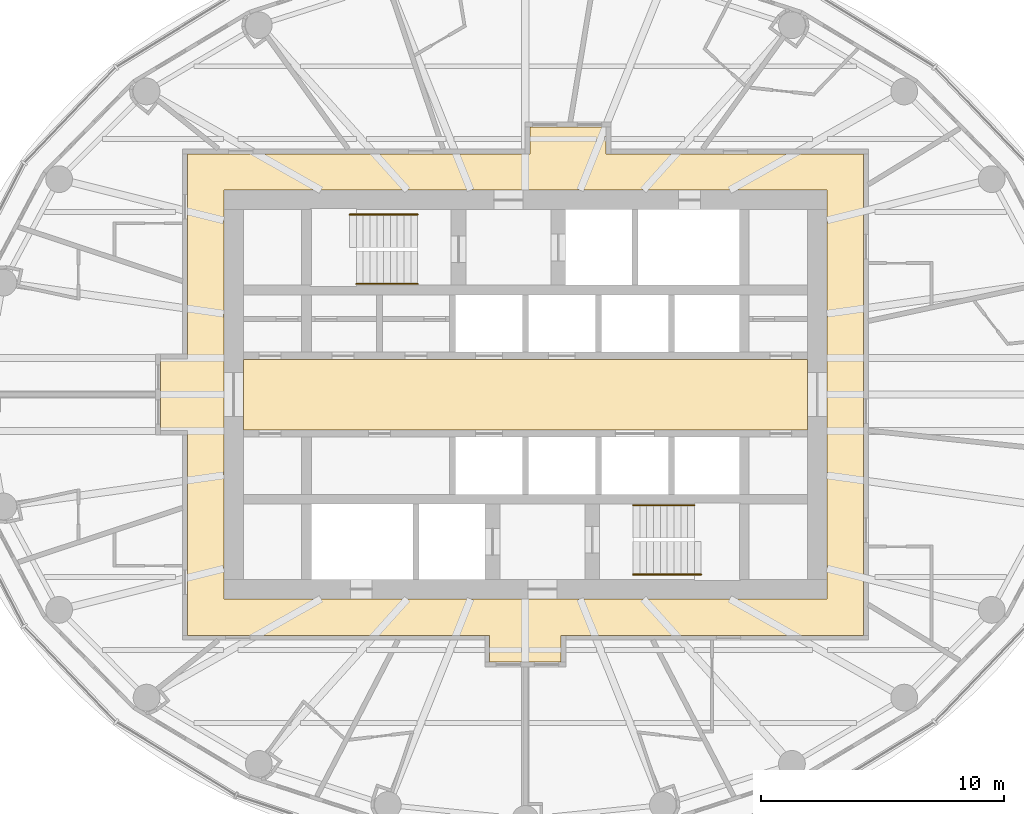
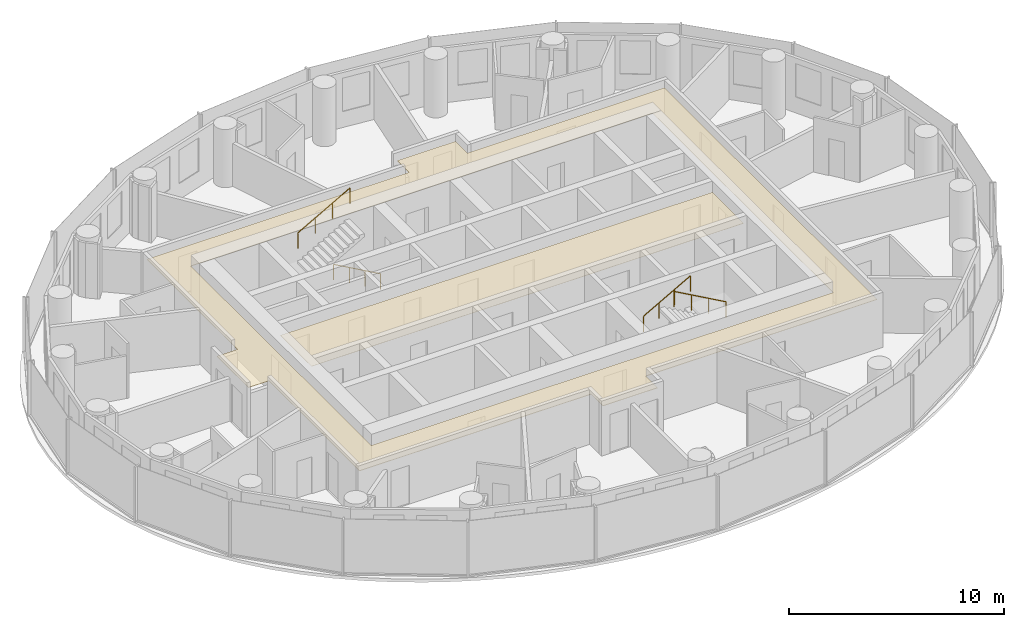
# One storey, part 13 of 13: 4 railings, 2 coverings.
"""IFC4 building model written with IfcOpenShell, lengths in metres."""

from ifc_helpers import new_model, si_unit, direction, frame, origin, origin_2d, place, context, subcontext, project, spatial, polyline, circle, outline, extrude, material, layer, layer_set, type_object, element, save


model = new_model("IFC4")

# Units and contexts
model_context = context("Model", 3, precision=1e-05, world=origin(), true_north=direction((0.0, 1.0)))
body_context = subcontext(model_context, "Body", "Model", "MODEL_VIEW")
ifc_project = project(units=[si_unit("LENGTHUNIT", "METRE"), si_unit("AREAUNIT", "SQUARE_METRE"), si_unit("VOLUMEUNIT", "CUBIC_METRE"), si_unit("PLANEANGLEUNIT", "RADIAN"), si_unit("MASSUNIT", "GRAM", prefix="KILO")], contexts=[model_context])

# Site, building, storey
site_placement = place(None, origin())
site = spatial("IfcSite", under=ifc_project, at=site_placement, CompositionType="ELEMENT")
building_placement = place(site_placement, origin())
building = spatial("IfcBuilding", under=site, at=building_placement, Name="Hankou Lantern Tower", CompositionType="ELEMENT")
storey_placement = place(building_placement, frame((0.0, 0.0, 159.89990234375)))
storey = spatial("IfcBuildingStorey", under=building, at=storey_placement, Name="L42", CompositionType="ELEMENT", Elevation=159.89990234375)

# Coverings
ifc_material_1 = material(Name="Black painted aluminium linear ceiling panels", Category="aluminium")
ifc_layer_1 = layer(ifc_material_1, 0.02490234375)
ifc_layer_set_1 = layer_set([ifc_layer_1], Name="Black painted aluminium linear ceiling panels")
covering_type_1 = type_object("IfcCoveringType", Name="CL1 CORRIDOR CEILING 25", PredefinedType="CEILING", material=ifc_layer_set_1)
covering_1_placement = place(storey_placement, frame((0.0, 0.0, 2.64501953125)))
element("IfcCovering", 1, at=covering_1_placement, inside=storey, type_object=covering_type_1, Name="Corridor ceiling L42", PredefinedType="CEILING", context=body_context, shape_type="SweptSolid", body=[
    extrude(outline(polyline([(1.469970703125, -11.0), (1.469970703125, -9.89990234375), (13.89990234375, -9.89990234375), (13.89990234375, 9.89990234375), (3.318115234375, 9.89990234375), (3.318115234375, 11.0), (0.194091796875, 11.0), (0.194091796875, 9.89990234375), (-13.89990234375, 9.89990234375), (-13.89990234375, 1.469970703125), (-15.0, 1.469970703125), (-15.0, -1.469970703125), (-13.89990234375, -1.469970703125), (-13.89990234375, -9.89990234375), (-1.469970703125, -9.89990234375), (-1.469970703125, -11.0), (1.469970703125, -11.0)]), holes=[polyline([(-12.39990234375, 8.39990234375), (12.39990234375, 8.39990234375), (12.39990234375, -8.39990234375), (-12.39990234375, -8.39990234375), (-12.39990234375, 8.39990234375)])]), origin(), (0.0, 0.0, 1.0), 0.025146484375),
])
ifc_material_2 = material(Name="Perforated black aluminium acoustic tray ceiling", Category="aluminium")
ifc_layer_2 = layer(ifc_material_2, 0.014892578125)
ifc_layer_set_2 = layer_set([ifc_layer_2], Name="Perforated black aluminium acoustic tray ceiling")
covering_type_2 = type_object("IfcCoveringType", Name="CL2 LIFT LOBBY CEILING 15", PredefinedType="CEILING", material=ifc_layer_set_2)
covering_2_placement = place(storey_placement, frame((0.0, 0.0, 2.655029296875)))
element("IfcCovering", 2, at=covering_2_placement, inside=storey, type_object=covering_type_2, Name="Lift lobby ceiling L42", PredefinedType="CEILING", context=body_context, shape_type="SweptSolid", body=[
    extrude(outline(polyline([(-11.60009765625, -1.449951171875), (11.60009765625, -1.449951171875), (11.60009765625, 1.449951171875), (-11.60009765625, 1.449951171875), (-11.60009765625, -1.449951171875)])), origin(), (0.0, 0.0, 1.0), 0.01513671875),
])

# Railings
ifc_material_3 = material(Name="Steel handrail", Category="steel")
railing_type = type_object("IfcRailingType", Name="HR1 STAIR HANDRAIL", PredefinedType="HANDRAIL", material=ifc_material_3)
railing_1_placement = place(storey_placement, frame((-4.429931640625, 4.550048828125, 0.900146484375)))
element("IfcRailing", 3, at=railing_1_placement, inside=storey, type_object=railing_type, Name="Handrail stair STA L42 flight 1", PredefinedType="HANDRAIL", context=body_context, shape_type="SweptSolid", body=[
    extrude(circle(Radius=0.02392578125, at=origin_2d()), frame((0.0, 0.0, 0.8759765625), z_axis=(-0.872048945198, 0.0, 0.489418672692), x_axis=(0.0, -1.0, 0.0)), (0.0, 0.0, 1.0), 2.8896484375),
    extrude(circle(Radius=0.02099609375, at=origin_2d()), origin(), (0.0, 0.0, 1.0), 0.851806640625),
    extrude(circle(Radius=0.02099609375, at=origin_2d()), frame((-0.840087890625, 0.0, 0.471435546875)), (0.0, 0.0, 1.0), 0.851806640625),
    extrude(circle(Radius=0.02099609375, at=origin_2d()), frame((-1.679931640625, 0.0, 0.94287109375)), (0.0, 0.0, 1.0), 0.851806640625),
    extrude(circle(Radius=0.02099609375, at=origin_2d()), frame((-2.52001953125, 0.0, 1.414306640625)), (0.0, 0.0, 1.0), 0.851806640625),
])
railing_2_placement = place(storey_placement, frame((-7.22998046875, 7.39990234375, 2.471435546875)))
element("IfcRailing", 4, at=railing_2_placement, inside=storey, type_object=railing_type, Name="Handrail stair STA L42 flight 2", PredefinedType="HANDRAIL", context=body_context, shape_type="SweptSolid", body=[
    extrude(circle(Radius=0.02392578125, at=origin_2d()), frame((0.0, 0.0, 0.8759765625), z_axis=(0.872040151574, 0.0, 0.489434340891), x_axis=(0.0, 1.0, 0.0)), (0.0, 0.0, 1.0), 3.2109375),
    extrude(circle(Radius=0.02099609375, at=origin_2d()), origin(), (0.0, 0.0, 1.0), 0.851806640625),
    extrude(circle(Radius=0.02099609375, at=origin_2d()), frame((0.933349609375, 0.0, 0.52392578125)), (0.0, 0.0, 1.0), 0.851806640625),
    extrude(circle(Radius=0.02099609375, at=origin_2d()), frame((1.86669921875, 0.0, 1.047607421875)), (0.0, 0.0, 1.0), 0.851806640625),
    extrude(circle(Radius=0.02099609375, at=origin_2d()), frame((2.800048828125, 0.0, 1.571533203125)), (0.0, 0.0, 1.0), 0.851806640625),
])
railing_3_placement = place(storey_placement, frame((4.429931640625, -4.550048828125, 0.900146484375)))
element("IfcRailing", 5, at=railing_3_placement, inside=storey, type_object=railing_type, Name="Handrail stair STB L42 flight 1", PredefinedType="HANDRAIL", context=body_context, shape_type="SweptSolid", body=[
    extrude(circle(Radius=0.02392578125, at=origin_2d()), frame((0.0, 0.0, 0.8759765625), z_axis=(0.872048945198, 0.0, 0.489418672692), x_axis=(0.0, 1.0, 0.0)), (0.0, 0.0, 1.0), 2.8896484375),
    extrude(circle(Radius=0.02099609375, at=origin_2d()), origin(), (0.0, 0.0, 1.0), 0.851806640625),
    extrude(circle(Radius=0.02099609375, at=origin_2d()), frame((0.840087890625, 0.0, 0.471435546875)), (0.0, 0.0, 1.0), 0.851806640625),
    extrude(circle(Radius=0.02099609375, at=origin_2d()), frame((1.679931640625, 0.0, 0.94287109375)), (0.0, 0.0, 1.0), 0.851806640625),
    extrude(circle(Radius=0.02099609375, at=origin_2d()), frame((2.52001953125, 0.0, 1.414306640625)), (0.0, 0.0, 1.0), 0.851806640625),
])
railing_4_placement = place(storey_placement, frame((7.22998046875, -7.39990234375, 2.471435546875)))
element("IfcRailing", 6, at=railing_4_placement, inside=storey, type_object=railing_type, Name="Handrail stair STB L42 flight 2", PredefinedType="HANDRAIL", context=body_context, shape_type="SweptSolid", body=[
    extrude(circle(Radius=0.02392578125, at=origin_2d()), frame((0.0, 0.0, 0.8759765625), z_axis=(-0.872040151574, 0.0, 0.489434340891), x_axis=(0.0, -1.0, 0.0)), (0.0, 0.0, 1.0), 3.2109375),
    extrude(circle(Radius=0.02099609375, at=origin_2d()), origin(), (0.0, 0.0, 1.0), 0.851806640625),
    extrude(circle(Radius=0.02099609375, at=origin_2d()), frame((-0.933349609375, 0.0, 0.52392578125)), (0.0, 0.0, 1.0), 0.851806640625),
    extrude(circle(Radius=0.02099609375, at=origin_2d()), frame((-1.86669921875, 0.0, 1.047607421875)), (0.0, 0.0, 1.0), 0.851806640625),
    extrude(circle(Radius=0.02099609375, at=origin_2d()), frame((-2.800048828125, 0.0, 1.571533203125)), (0.0, 0.0, 1.0), 0.851806640625),
])

save(model, "model.ifc")
